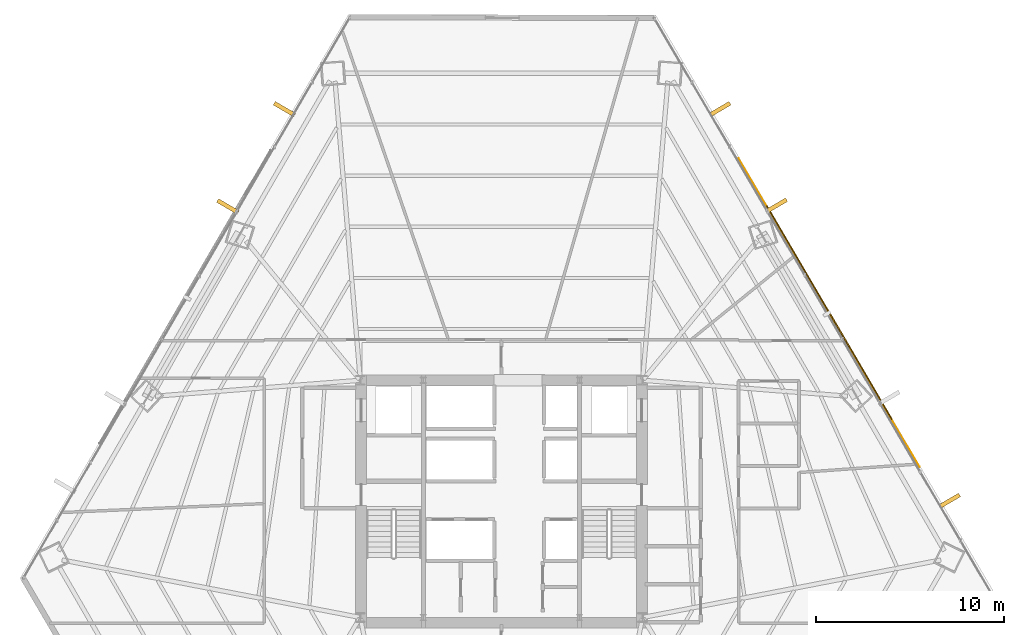
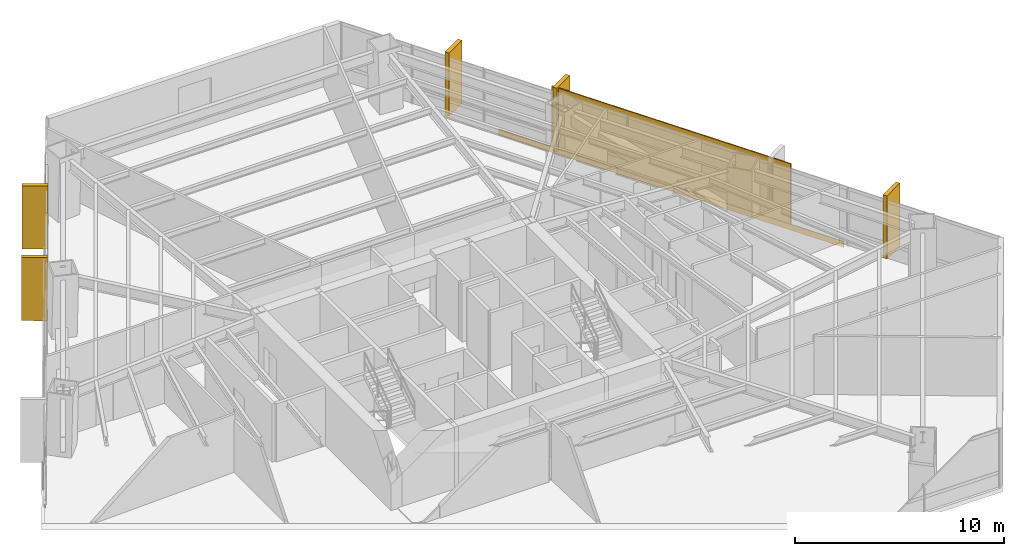
# One storey, part 33 of 33: 6 coverings, 1 shading device.
"""IFC4 building model written with IfcOpenShell, lengths in metres."""

from ifc_helpers import new_model, si_unit, direction, frame, origin, origin_2d, place, context, subcontext, project, spatial, rectangle, extrude, source, transform, mapped, material, layer, layer_set, type_object, type_shapes, element, save


model = new_model("IFC4")

# Units and contexts
model_context = context("Model", 3, precision=1e-05, world=origin(), true_north=direction((0.0, 1.0)))
body_context = subcontext(model_context, "Body", "Model", "MODEL_VIEW")
ifc_project = project(units=[si_unit("LENGTHUNIT", "METRE"), si_unit("AREAUNIT", "SQUARE_METRE"), si_unit("VOLUMEUNIT", "CUBIC_METRE"), si_unit("PLANEANGLEUNIT", "RADIAN"), si_unit("MASSUNIT", "GRAM", prefix="KILO")], contexts=[model_context])

# Site, building, storey
site_placement = place(None, origin())
site = spatial("IfcSite", under=ifc_project, at=site_placement, CompositionType="ELEMENT")
building_placement = place(site_placement, origin())
building = spatial("IfcBuilding", under=site, at=building_placement, Name="Caelisora Broadcast Tower", CompositionType="ELEMENT")
storey_placement = place(building_placement, frame((0.0, 0.0, 42.199951171875)))
storey = spatial("IfcBuildingStorey", under=building, at=storey_placement, Name="L10", CompositionType="ELEMENT", Elevation=42.199951171875)

# Coverings
ifc_material_1 = material(Name="Kiln-Fired Terracotta Spandrel Rainscreen Cladding", Category="ceramic")
ifc_layer_1 = layer(ifc_material_1, 0.044921875, Name="Kiln-Fired Terracotta Spandrel Rainscreen Cladding")
ifc_layer_set_1 = layer_set([ifc_layer_1], Name="Kiln-Fired Terracotta Spandrel Rainscreen Cladding")
covering_type = type_object("IfcCoveringType", Name="CL-1", PredefinedType="CLADDING", material=ifc_layer_set_1)
shared_shape_1 = source(origin(), body_context, "Body", "SweptSolid", [
    extrude(rectangle(XDim=0.219970703125, YDim=1.25, at=origin_2d()), origin(), (0.0, 0.0, 1.0), 3.68994140625),
])
for number, where, z_axis, x_axis, name in (
    (1, (49.601318359375, 44.4013671875, -0.02001953125), (0.0, 0.0, 1.0), (0.505732659231, -0.862690255763, 0.0), "L10 vertical solar fin cladding #1-1"),
    (2, (52.605224609375, 39.2763671875, -0.02001953125), (0.0, 0.0, 1.0), (0.505732659231, -0.862690255763, 0.0), "L10 vertical solar fin cladding #1-2"),
    (3, (61.796875, 23.595947265625, -0.02001953125), (0.0, 0.0, 1.0), (0.505732659231, -0.862690255763, 0.0), "L10 vertical solar fin cladding #1-4"),
    (4, (23.459716796875, 39.234130859375, -0.02001953125), (0.0, 0.0, 1.0), (0.503321604797, 0.864099162217, 0.0), "L10 vertical solar fin cladding #3-3"),
    (5, (26.469970703125, 44.402587890625, -0.02001953125), (0.0, 0.0, 1.0), (0.503321604797, 0.864099162217, 0.0), "L10 vertical solar fin cladding #3-4"),
):
    element("IfcCovering", number, at=place(storey_placement, frame(where, z_axis=z_axis, x_axis=x_axis)), inside=storey, type_object=covering_type, Name=name, PredefinedType="CLADDING", context=body_context, shape_type="MappedRepresentation", body=[
        mapped(shared_shape_1, transform((0.0, 0.0, 0.0), scale=1.0)),
    ])

# Shading device
ifc_material_2 = material(Name="Perforated Glazed Terracotta Baguette Solar Screen", Category="ceramic")
ifc_layer_2 = layer(ifc_material_2, 0.06494140625, Name="Perforated Glazed Terracotta Baguette Solar Screen")
ifc_layer_set_2 = layer_set([ifc_layer_2], Name="Perforated Glazed Terracotta Baguette Solar Screen")
shading_device_type = type_object("IfcShadingDeviceType", Name="SS-1", PredefinedType="USERDEFINED", material=ifc_layer_set_2)
shared_shape_2 = source(origin(), body_context, "Body", "SweptSolid", [
    extrude(rectangle(XDim=13.166015625, YDim=0.06494140625, at=origin_2d()), origin(), (0.0, 0.0, 1.0), 3.590087890625),
])
type_shapes(shading_device_type, [shared_shape_2])
shading_device_placement = place(storey_placement, frame((55.41259765625, 33.597900390625, 0.0), z_axis=(0.0, 0.0, 1.0), x_axis=(-0.505732659231, 0.862690255763, 0.0)))
element("IfcShadingDevice", 6, at=shading_device_placement, inside=storey, type_object=shading_device_type, Name="L10 perforated terracotta solar screen #3", ObjectType="SOLAR SCREEN", PredefinedType="USERDEFINED", context=body_context, shape_type="MappedRepresentation", body=[
    mapped(shared_shape_2, transform((0.0, 0.0, 0.0), scale=1.0)),
])

# Covering
shared_shape_3 = source(origin(), body_context, "Body", "SweptSolid", [
    extrude(rectangle(XDim=19.01708984375, YDim=0.044921875, at=origin_2d()), origin(), (0.0, 0.0, 1.0), 0.340087890625),
])
type_shapes(covering_type, [shared_shape_1, shared_shape_3])
covering_placement = place(storey_placement, frame((55.395263671875, 33.587646484375, -0.27001953125), z_axis=(0.0, 0.0, 1.0), x_axis=(-0.505732659231, 0.862690255763, 0.0)))
element("IfcCovering", 7, at=covering_placement, inside=storey, type_object=covering_type, Name="L10 terracotta spandrel rainscreen #3", PredefinedType="CLADDING", context=body_context, shape_type="MappedRepresentation", body=[
    mapped(shared_shape_3, transform((0.0, 0.0, 0.0), scale=1.0)),
])

save(model, "model.ifc")
